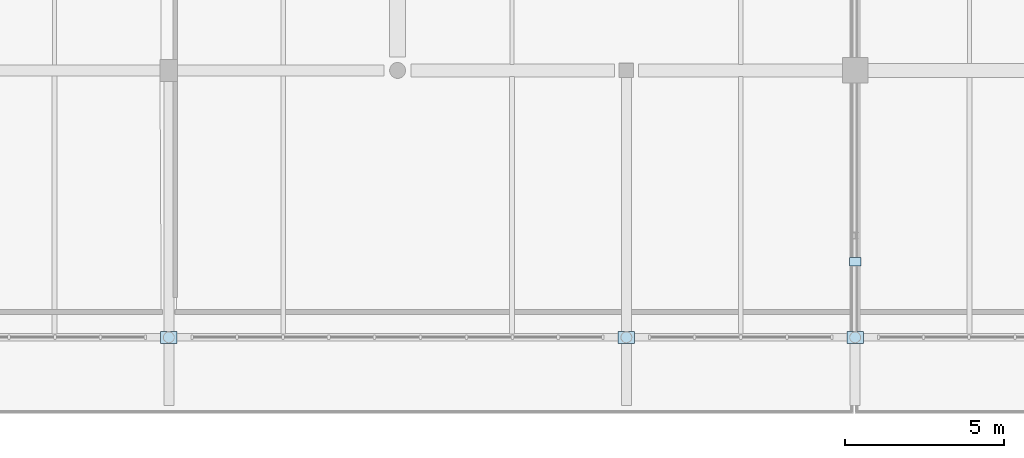
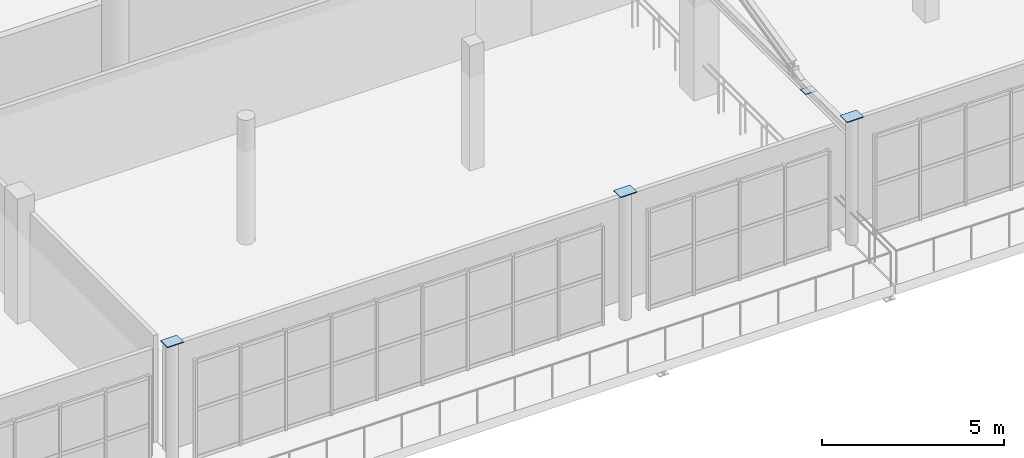
# One storey, part 26 of 41: 4 plates.
"""IFC4 building model written with IfcOpenShell, lengths in metres."""

from ifc_helpers import new_model, si_unit, direction, frame, origin, origin_2d, place, context, subcontext, project, spatial, rectangle, extrude, material, layer, layer_set, type_object, element, save


model = new_model("IFC4")

# Units and contexts
model_context = context("Model", 3, precision=1e-05, world=origin(), true_north=direction((0.0, 1.0)))
body_context = subcontext(model_context, "Body", "Model", "MODEL_VIEW")
ifc_project = project(units=[si_unit("LENGTHUNIT", "METRE"), si_unit("AREAUNIT", "SQUARE_METRE"), si_unit("VOLUMEUNIT", "CUBIC_METRE"), si_unit("PLANEANGLEUNIT", "RADIAN"), si_unit("MASSUNIT", "GRAM", prefix="KILO")], contexts=[model_context])

# Site, building, storey
site_placement = place(None, origin())
site = spatial("IfcSite", under=ifc_project, at=site_placement, CompositionType="ELEMENT")
building_placement = place(site_placement, origin())
building = spatial("IfcBuilding", under=site, at=building_placement, Name="Solanera Park Tramway Depot", CompositionType="ELEMENT")
storey_placement = place(building_placement, frame((0.0, 0.0, 13.199951171875)))
storey = spatial("IfcBuildingStorey", under=building, at=storey_placement, Name="L03", CompositionType="ELEMENT", Elevation=13.199951171875)

# Plates
ifc_material_1 = material(Name="Steel AS/NZS 3679.1 Grade 350", Category="steel")
ifc_layer_1 = layer(ifc_material_1, 0.01806640625)
ifc_layer_set_1 = layer_set([ifc_layer_1], Name="Steel AS/NZS 3679.1 Grade 350")
plate_type_1 = type_object("IfcPlateType", Name="Hollow End Cap and Base Plate 360x280x18", PredefinedType="USERDEFINED", material=ifc_layer_set_1)
plate_placement = place(storey_placement, frame((151.199951171875, 4.780029296875, 3.637451171875), z_axis=(0.0, 0.0, 1.0), x_axis=(1.0, 0.0, 0.0)))
element("IfcPlate", 1, at=plate_placement, inside=storey, type_object=plate_type_1, Name="Hip Truss Web Sealed Cap Plate #1131", ObjectType="BASE PLATE", PredefinedType="USERDEFINED", context=body_context, shape_type="SweptSolid", body=[
    extrude(rectangle(XDim=0.360107421875, YDim=0.280029296875, at=origin_2d()), origin(), (0.0, 0.0, 1.0), 0.01806640625),
])
ifc_material_2 = material(Name="Steel AS/NZS 3679.1 Grade 350", Category="steel")
ifc_layer_2 = layer(ifc_material_2, 0.02490234375)
ifc_layer_set_2 = layer_set([ifc_layer_2], Name="Steel AS/NZS 3679.1 Grade 350")
plate_type_2 = type_object("IfcPlateType", Name="Hollow End Cap and Base Plate 520x380x25", PredefinedType="USERDEFINED", material=ifc_layer_set_2)
for number, where, z_axis, x_axis, name in (
    (2, (129.60009765625, 2.39990234375, 4.196044921875), (0.0, 0.0, 1.0), (1.0, 0.0, 0.0), "Hollow Column Sealed Cap Plate #0019"),
    (3, (144.0, 2.39990234375, 4.196044921875), (0.0, 0.0, 1.0), (1.0, 0.0, 0.0), "Hollow Column Sealed Cap Plate #0020"),
    (4, (151.199951171875, 2.39990234375, 4.196044921875), (0.0, 0.0, 1.0), (1.0, 0.0, 0.0), "Hollow Column Sealed Cap Plate #0021"),
):
    element("IfcPlate", number, at=place(storey_placement, frame(where, z_axis=z_axis, x_axis=x_axis)), inside=storey, type_object=plate_type_2, Name=name, ObjectType="BASE PLATE", PredefinedType="USERDEFINED", context=body_context, shape_type="SweptSolid", body=[
        extrude(rectangle(XDim=0.52001953125, YDim=0.3798828125, at=origin_2d()), origin(), (0.0, 0.0, 1.0), 0.02490234375),
    ])

save(model, "model.ifc")
